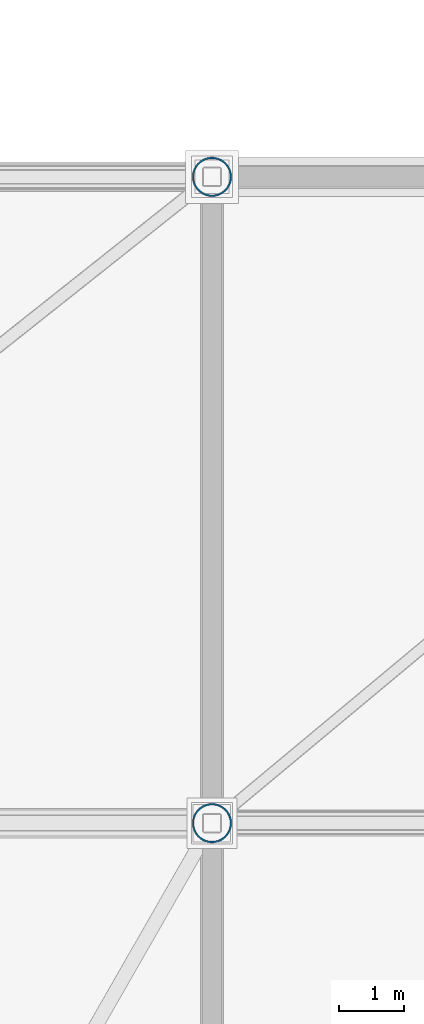
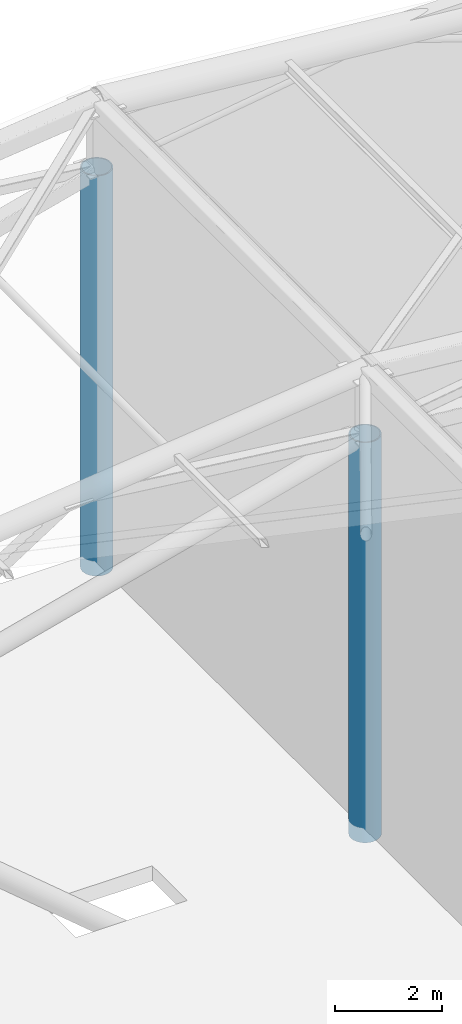
# One storey, part 2 of 44: 2 columns.
"""IFC4 building model written with IfcOpenShell, lengths in metres."""

from ifc_helpers import new_model, si_unit, direction, frame, origin, origin_2d, place, context, subcontext, project, spatial, hollow_circle, extrude, material, material_profile, profile_set, type_object, element, save


model = new_model("IFC4")

# Units and contexts
model_context = context("Model", 3, precision=1e-05, world=origin(), true_north=direction((0.0, 1.0)))
body_context = subcontext(model_context, "Body", "Model", "MODEL_VIEW")
ifc_project = project(units=[si_unit("LENGTHUNIT", "METRE"), si_unit("AREAUNIT", "SQUARE_METRE"), si_unit("VOLUMEUNIT", "CUBIC_METRE"), si_unit("PLANEANGLEUNIT", "RADIAN"), si_unit("MASSUNIT", "GRAM", prefix="KILO")], contexts=[model_context])

# Site, building, storey
site_placement = place(None, origin())
site = spatial("IfcSite", under=ifc_project, at=site_placement, CompositionType="ELEMENT")
building_placement = place(site_placement, origin())
building = spatial("IfcBuilding", under=site, at=building_placement, Name="Brinegate Civic Arena", CompositionType="ELEMENT")
storey_placement = place(building_placement, frame((0.0, 0.0, 29.39990234375)))
storey = spatial("IfcBuildingStorey", under=building, at=storey_placement, Name="RF", CompositionType="ELEMENT", Elevation=29.39990234375)

# Columns
ifc_material = material(Name="Steel S355", Category="steel")
ifc_material_profile = material_profile(ifc_material, hollow_circle(Radius=0.304931640625, WallThickness=0.02490234375, at=origin_2d()), Name="CHS610X25")
ifc_profile_set = profile_set([ifc_material_profile], Name="Steel S355")
column_type = type_object("IfcColumnType", Name="COL-SC05-CHS610", PredefinedType="COLUMN", material=ifc_profile_set)
for number, where, z_axis, x_axis, name in (
    (1, (60.0, 104.0, 0.0), (0.0, 0.0, 1.0), (1.0, 0.0, 0.0), "Space Frame West Drum Column W-07-RF"),
    (2, (60.0, 114.0, 0.0), (0.0, 0.0, 1.0), (1.0, 0.0, 0.0), "Space Frame West Drum Column W-08-RF"),
):
    element("IfcColumn", number, at=place(storey_placement, frame(where, z_axis=z_axis, x_axis=x_axis)), inside=storey, type_object=column_type, Name=name, PredefinedType="COLUMN", context=body_context, shape_type="SweptSolid", body=[
        extrude(hollow_circle(Radius=0.304931640625, WallThickness=0.02490234375, at=origin_2d()), origin(), (0.0, 0.0, 1.0), 9.10009765625),
    ])

save(model, "model.ifc")
